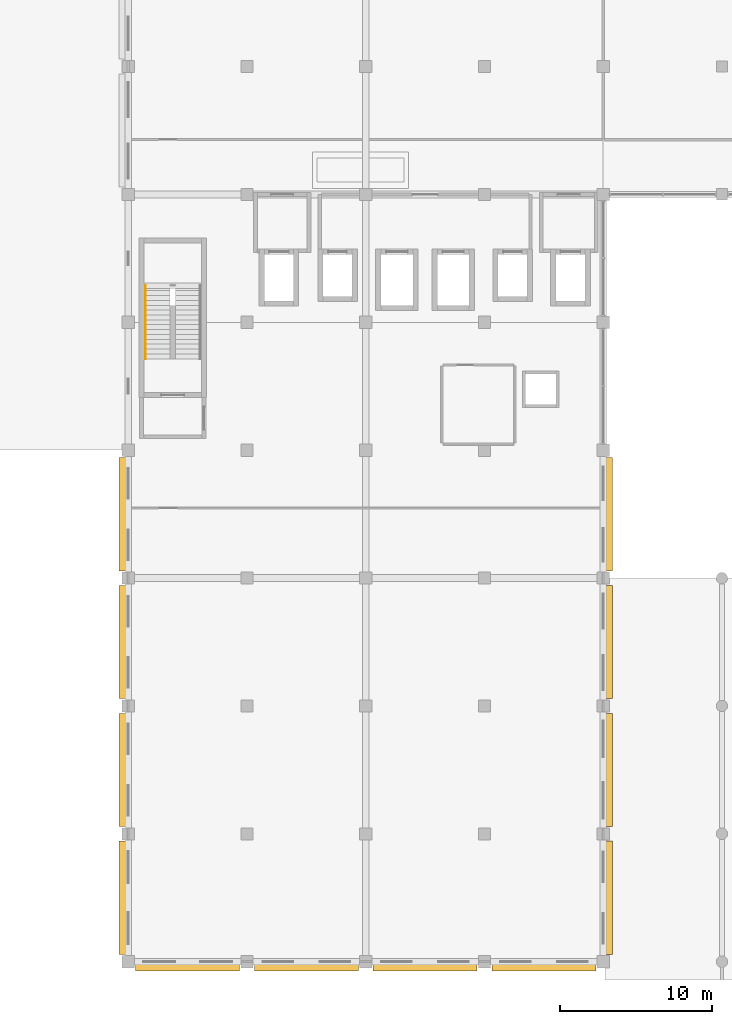
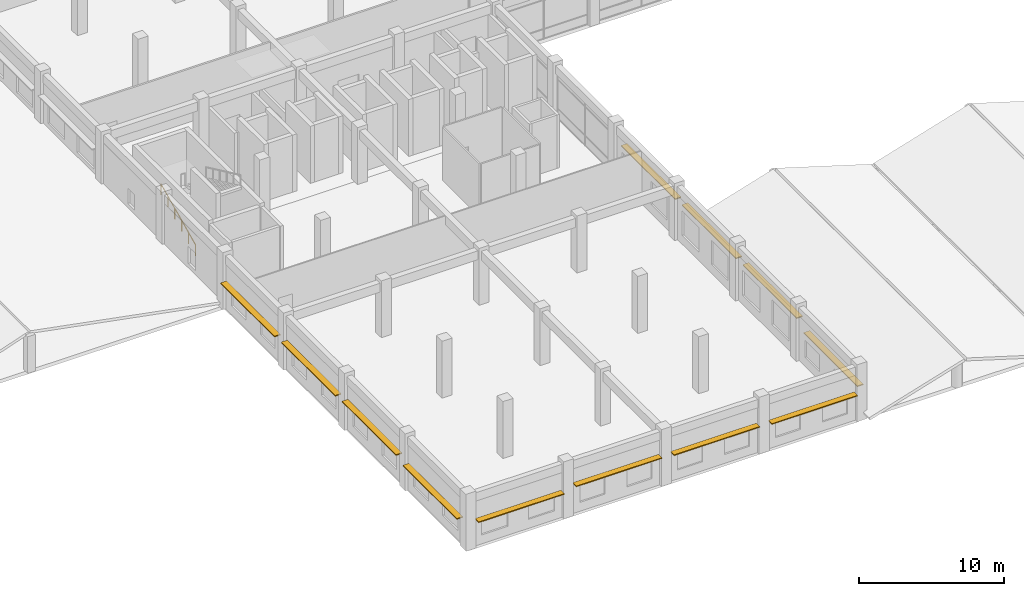
# One storey, part 53 of 62: 12 shading devices, 1 railing.
"""IFC4 building model written with IfcOpenShell, lengths in metres."""

from ifc_helpers import new_model, si_unit, direction, frame, origin, origin_2d, place, context, subcontext, project, spatial, rectangle, circle, extrude, material, layer, layer_set, type_object, element, save


model = new_model("IFC4")

# Units and contexts
model_context = context("Model", 3, precision=1e-05, world=origin(), true_north=direction((0.0, 1.0)))
body_context = subcontext(model_context, "Body", "Model", "MODEL_VIEW")
ifc_project = project(units=[si_unit("LENGTHUNIT", "METRE"), si_unit("AREAUNIT", "SQUARE_METRE"), si_unit("VOLUMEUNIT", "CUBIC_METRE"), si_unit("PLANEANGLEUNIT", "RADIAN"), si_unit("MASSUNIT", "GRAM", prefix="KILO"), si_unit("THERMODYNAMICTEMPERATUREUNIT", "KELVIN"), si_unit("POWERUNIT", "WATT")], contexts=[model_context])

# Site, building, storey
site_placement = place(None, origin())
site = spatial("IfcSite", under=ifc_project, at=site_placement, CompositionType="ELEMENT")
building_placement = place(site_placement, origin())
building = spatial("IfcBuilding", under=site, at=building_placement, Name="Srebrne Nadtorze General Hospital", CompositionType="ELEMENT")
storey_placement = place(building_placement, frame((0.0, 0.0, 9.60009765625)))
storey = spatial("IfcBuildingStorey", under=building, at=storey_placement, Name="L02", CompositionType="ELEMENT", Elevation=9.60009765625)

# Shading devices
ifc_material_1 = material(Name="Anodised Aluminium", Category="aluminium")
ifc_layer = layer(ifc_material_1, 0.080078125)
ifc_layer_set = layer_set([ifc_layer], Name="Anodised Aluminium")
shading_device_type = type_object("IfcShadingDeviceType", Name="Hisashi horizontal aluminium sunshade", PredefinedType="JALOUSIE", material=ifc_layer_set)
for number, where, z_axis, x_axis, name in (
    (1, (27.300048828125, -0.3798828125, 2.219970703125), (0.0, 0.0, 1.0), (1.0, 0.0, 0.0), "Hisashi horizontal sunshade eave LV-126"),
    (2, (35.10009765625, -0.3798828125, 2.519775390625), (0.0, 0.0, 1.0), (1.0, 0.0, 0.0), "Hisashi horizontal sunshade eave LV-127"),
    (3, (42.89990234375, -0.3798828125, 2.419921875), (0.0, 0.0, 1.0), (1.0, 0.0, 0.0), "Hisashi horizontal sunshade eave LV-128"),
    (4, (50.699951171875, -0.3798828125, 2.31982421875), (0.0, 0.0, 1.0), (1.0, 0.0, 0.0), "Hisashi horizontal sunshade eave LV-129"),
):
    element("IfcShadingDevice", number, at=place(storey_placement, frame(where, z_axis=z_axis, x_axis=x_axis)), inside=storey, type_object=shading_device_type, Name=name, PredefinedType="JALOUSIE", context=body_context, shape_type="SweptSolid", body=[
        extrude(rectangle(XDim=6.840087890625, YDim=0.47998046875, at=origin_2d()), origin(), (0.0, 0.0, 1.0), 0.080078125),
    ])
for number, where, z_axis, x_axis, name in (
    (5, (23.02001953125, 4.199951171875, 2.219970703125), (0.0, 0.0, 1.0), (1.0, 0.0, 0.0), "Hisashi horizontal sunshade eave LV-149"),
    (6, (23.02001953125, 12.60009765625, 2.519775390625), (0.0, 0.0, 1.0), (1.0, 0.0, 0.0), "Hisashi horizontal sunshade eave LV-150"),
    (7, (23.02001953125, 21.0, 2.419921875), (0.0, 0.0, 1.0), (1.0, 0.0, 0.0), "Hisashi horizontal sunshade eave LV-151"),
    (8, (23.02001953125, 29.39990234375, 2.31982421875), (0.0, 0.0, 1.0), (1.0, 0.0, 0.0), "Hisashi horizontal sunshade eave LV-152"),
    (9, (54.97998046875, 4.199951171875, 2.219970703125), (0.0, 0.0, 1.0), (1.0, 0.0, 0.0), "Hisashi horizontal sunshade eave LV-159"),
    (10, (54.97998046875, 12.60009765625, 2.869873046875), (0.0, 0.0, 1.0), (1.0, 0.0, 0.0), "Hisashi horizontal sunshade eave LV-160"),
    (11, (54.97998046875, 21.0, 2.81982421875), (0.0, 0.0, 1.0), (1.0, 0.0, 0.0), "Hisashi horizontal sunshade eave LV-161"),
    (12, (54.97998046875, 29.39990234375, 2.719970703125), (0.0, 0.0, 1.0), (1.0, 0.0, 0.0), "Hisashi horizontal sunshade eave LV-162"),
):
    element("IfcShadingDevice", number, at=place(storey_placement, frame(where, z_axis=z_axis, x_axis=x_axis)), inside=storey, type_object=shading_device_type, Name=name, PredefinedType="JALOUSIE", context=body_context, shape_type="SweptSolid", body=[
        extrude(rectangle(XDim=0.47998046875, YDim=7.43994140625, at=origin_2d()), origin(), (0.0, 0.0, 1.0), 0.080078125),
    ])

# Railing
ifc_material_2 = material(Name="Stainless Steel 316", Category="steel")
railing_type = type_object("IfcRailingType", Name="Tubular stainless handrail 920", PredefinedType="HANDRAIL", material=ifc_material_2)
railing_placement = place(storey_placement, frame((24.530029296875, 39.60009765625, 0.14990234375)))
element("IfcRailing", 13, at=railing_placement, inside=storey, type_object=railing_type, Name="Stair flight handrail ST-01-L02 F1", PredefinedType="HANDRAIL", context=body_context, shape_type="SweptSolid", body=[
    extrude(circle(Radius=0.02392578125, at=origin_2d()), frame((0.0, 0.0, 0.89599609375), z_axis=(0.0, 0.905452298538, 0.424448035774), x_axis=(-1.0, 0.0, 0.0)), (0.0, 0.0, 1.0), 5.301025390625),
    extrude(circle(Radius=0.02099609375, at=origin_2d()), origin(), (0.0, 0.0, 1.0), 0.871826171875),
    extrude(circle(Radius=0.02099609375, at=origin_2d()), frame((0.0, 0.9599609375, 0.449951171875)), (0.0, 0.0, 1.0), 0.871826171875),
    extrude(circle(Radius=0.02099609375, at=origin_2d()), frame((0.0, 1.919921875, 0.89990234375)), (0.0, 0.0, 1.0), 0.871826171875),
    extrude(circle(Radius=0.02099609375, at=origin_2d()), frame((0.0, 2.8798828125, 1.35009765625)), (0.0, 0.0, 1.0), 0.871826171875),
    extrude(circle(Radius=0.02099609375, at=origin_2d()), frame((0.0, 3.83984375, 1.800048828125)), (0.0, 0.0, 1.0), 0.871826171875),
    extrude(circle(Radius=0.02099609375, at=origin_2d()), frame((0.0, 4.7998046875, 2.25)), (0.0, 0.0, 1.0), 0.871826171875),
])

save(model, "model.ifc")
